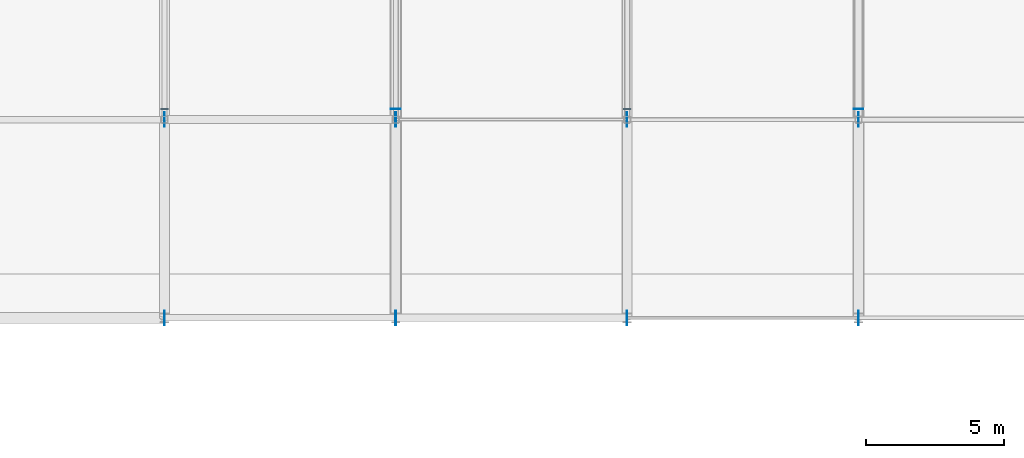
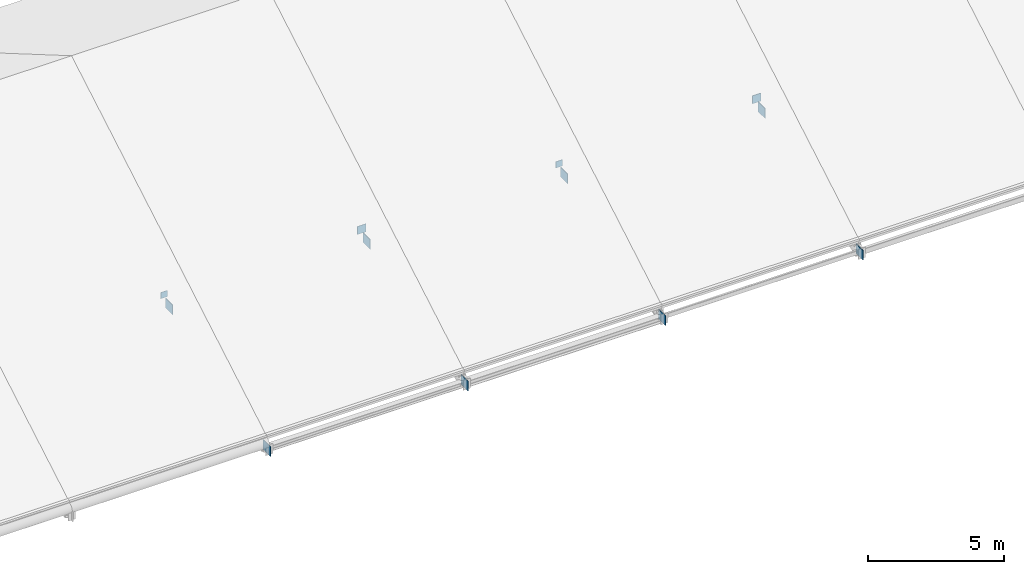
# One storey, part 43 of 54: 12 plates.
"""IFC4 building model written with IfcOpenShell, lengths in metres."""

from ifc_helpers import new_model, si_unit, direction, frame, origin, origin_2d, place, context, subcontext, project, spatial, rectangle, extrude, material, layer, layer_set, type_object, element, save


model = new_model("IFC4")

# Units and contexts
model_context = context("Model", 3, precision=1e-05, world=origin(), true_north=direction((0.0, 1.0)))
body_context = subcontext(model_context, "Body", "Model", "MODEL_VIEW")
ifc_project = project(units=[si_unit("LENGTHUNIT", "METRE"), si_unit("AREAUNIT", "SQUARE_METRE"), si_unit("VOLUMEUNIT", "CUBIC_METRE"), si_unit("PLANEANGLEUNIT", "RADIAN"), si_unit("MASSUNIT", "GRAM", prefix="KILO")], contexts=[model_context])

# Site, building, storey
site_placement = place(None, origin())
site = spatial("IfcSite", under=ifc_project, at=site_placement, CompositionType="ELEMENT")
building_placement = place(site_placement, origin())
building = spatial("IfcBuilding", under=site, at=building_placement, Name="Zulmaris Art Gallery", CompositionType="ELEMENT")
storey_placement = place(building_placement, frame((0.0, 0.0, 26.39990234375)))
storey = spatial("IfcBuildingStorey", under=building, at=storey_placement, Name="L05", CompositionType="ELEMENT", Elevation=26.39990234375)

# Plates
ifc_material = material(Name="Steel S355J2", Category="steel")
ifc_layer_1 = layer(ifc_material, 0.02001953125)
ifc_layer_set_1 = layer_set([ifc_layer_1], Name="Steel S355J2")
plate_type_1 = type_object("IfcPlateType", Name="PLT-CP01", PredefinedType="USERDEFINED", material=ifc_layer_set_1)
for number, where, z_axis, x_axis, name in (
    (1, (40.800048828125, 29.189453125, 1.65478515625), (0.0, 0.0, 1.0), (1.0, 0.0, 0.0), "Hollow-section end cap plate 89"),
    (2, (57.60009765625, 29.189453125, 1.65478515625), (0.0, 0.0, 1.0), (1.0, 0.0, 0.0), "Hollow-section end cap plate 97"),
):
    element("IfcPlate", number, at=place(storey_placement, frame(where, z_axis=z_axis, x_axis=x_axis)), inside=storey, type_object=plate_type_1, Name=name, ObjectType="CAP PLATE", PredefinedType="USERDEFINED", context=body_context, shape_type="SweptSolid", body=[
        extrude(rectangle(XDim=0.280029296875, YDim=0.02001953125, at=origin_2d()), origin(), (0.0, 0.0, 1.0), 0.280029296875),
    ])
ifc_layer_2 = layer(ifc_material, 0.02197265625)
ifc_layer_set_2 = layer_set([ifc_layer_2], Name="Steel S355J2")
plate_type_2 = type_object("IfcPlateType", Name="PLT-CP02", PredefinedType="USERDEFINED", material=ifc_layer_set_2)
for number, where, z_axis, x_axis, name in (
    (3, (49.199951171875, 29.189453125, 1.61474609375), (0.0, 0.0, 1.0), (1.0, 0.0, 0.0), "Hollow-section end cap plate 93"),
    (4, (66.0, 29.189453125, 1.61474609375), (0.0, 0.0, 1.0), (1.0, 0.0, 0.0), "Hollow-section end cap plate 101"),
):
    element("IfcPlate", number, at=place(storey_placement, frame(where, z_axis=z_axis, x_axis=x_axis)), inside=storey, type_object=plate_type_2, Name=name, ObjectType="CAP PLATE", PredefinedType="USERDEFINED", context=body_context, shape_type="SweptSolid", body=[
        extrude(rectangle(XDim=0.360107421875, YDim=0.02197265625, at=origin_2d()), origin(), (0.0, 0.0, 1.0), 0.360107421875),
    ])
ifc_layer_3 = layer(ifc_material, 0.02392578125)
ifc_layer_set_3 = layer_set([ifc_layer_3], Name="Steel S355J2")
plate_type_3 = type_object("IfcPlateType", Name="PLT-GP01", PredefinedType="USERDEFINED", material=ifc_layer_set_3)
for number, where, z_axis, x_axis, name in (
    (5, (40.800048828125, 21.60009765625, -0.719970703125), (0.0, 0.0, 1.0), (1.0, 0.0, 0.0), "Pitched truss TR-R05 node gusset 1"),
    (6, (40.800048828125, 28.800048828125, 1.280029296875), (0.0, 0.0, 1.0), (1.0, 0.0, 0.0), "Pitched truss TR-R05 node gusset 2"),
    (7, (49.199951171875, 21.60009765625, -0.719970703125), (0.0, 0.0, 1.0), (1.0, 0.0, 0.0), "Pitched truss TR-R06 node gusset 1"),
    (8, (49.199951171875, 28.800048828125, 1.280029296875), (0.0, 0.0, 1.0), (1.0, 0.0, 0.0), "Pitched truss TR-R06 node gusset 2"),
    (9, (57.60009765625, 21.60009765625, -0.719970703125), (0.0, 0.0, 1.0), (1.0, 0.0, 0.0), "Pitched truss TR-R07 node gusset 1"),
    (10, (57.60009765625, 28.800048828125, 1.280029296875), (0.0, 0.0, 1.0), (1.0, 0.0, 0.0), "Pitched truss TR-R07 node gusset 2"),
    (11, (66.0, 21.60009765625, -0.719970703125), (0.0, 0.0, 1.0), (1.0, 0.0, 0.0), "Pitched truss TR-R08 node gusset 1"),
    (12, (66.0, 28.800048828125, 1.280029296875), (0.0, 0.0, 1.0), (1.0, 0.0, 0.0), "Pitched truss TR-R08 node gusset 2"),
):
    element("IfcPlate", number, at=place(storey_placement, frame(where, z_axis=z_axis, x_axis=x_axis)), inside=storey, type_object=plate_type_3, Name=name, ObjectType="GUSSET PLATE", PredefinedType="USERDEFINED", context=body_context, shape_type="SweptSolid", body=[
        extrude(rectangle(XDim=0.02392578125, YDim=0.52001953125, at=origin_2d()), origin(), (0.0, 0.0, 1.0), 0.43994140625),
    ])

save(model, "model.ifc")
